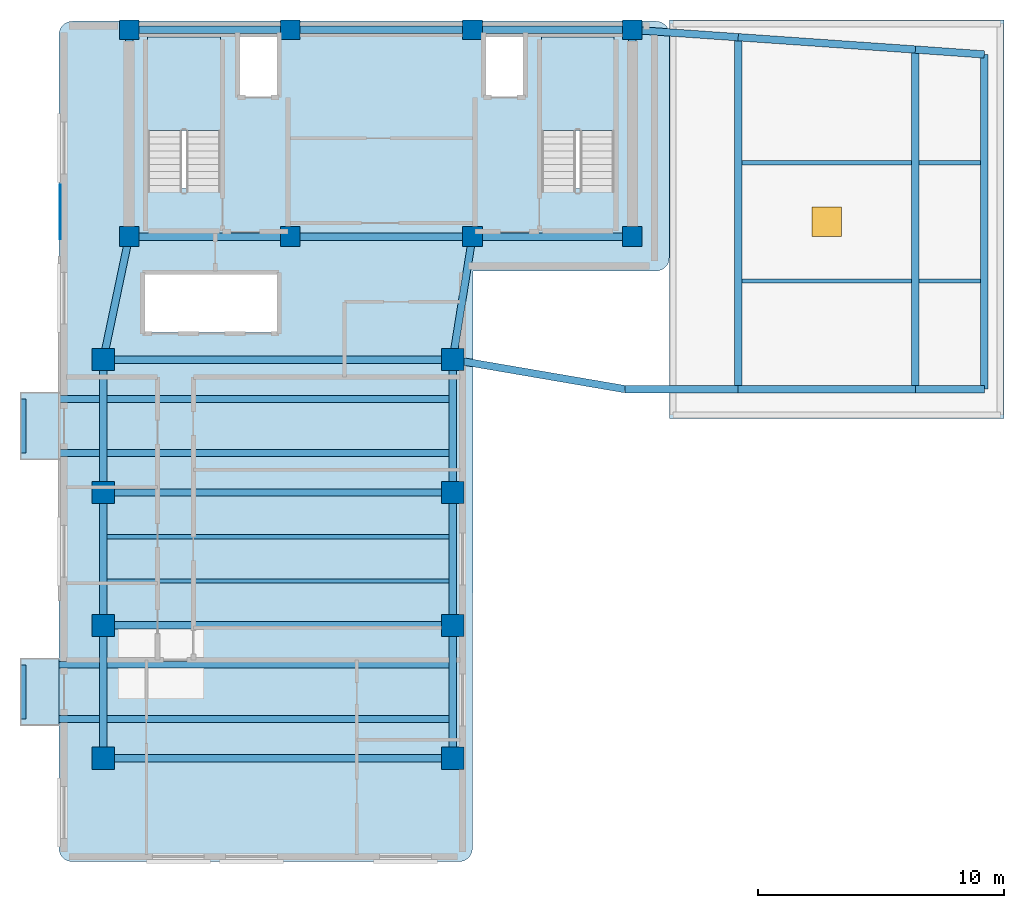
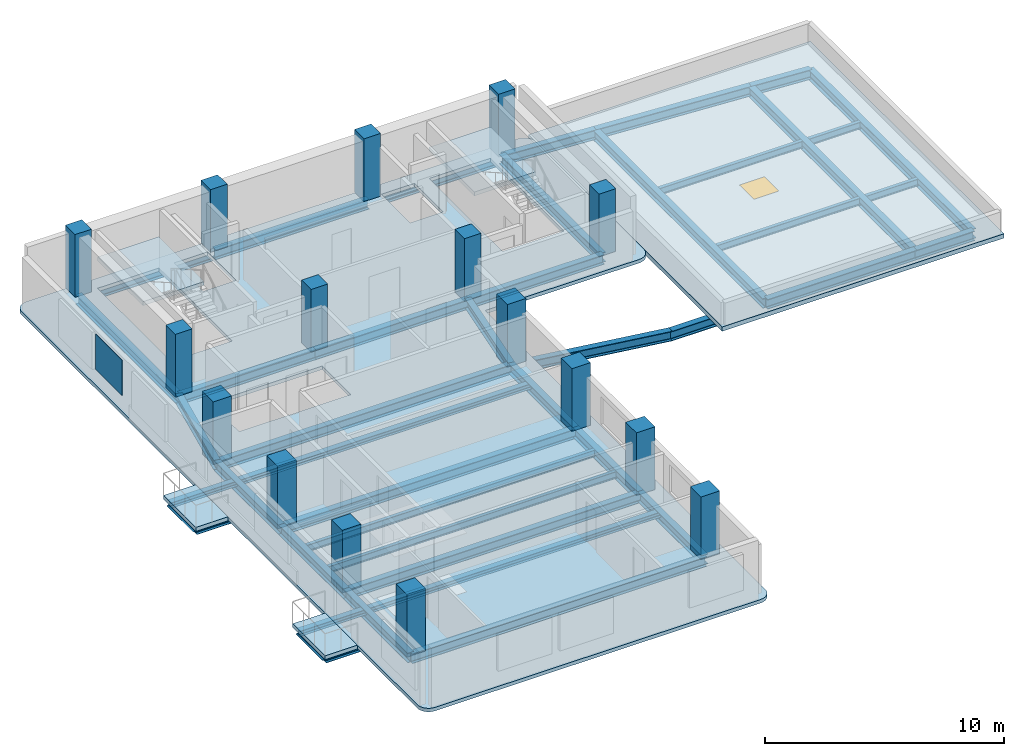
# One storey, part 1 of 6: 42 beams, 16 columns, 6 slabs, 1 plate, 1 window, 1 opening, 2 elements without a shape of their own.
"""IFC4 building model written with IfcOpenShell, lengths in metres."""

from ifc_helpers import new_model, si_unit, direction, frame, origin, origin_2d, place, context, subcontext, project, spatial, polyline, rectangle, i_section, outline, extrude, material, layer, layer_set, material_profile, profile_set, type_object, element, fill, aggregate, save


model = new_model("IFC4")

# Units and contexts
model_context = context("Model", 3, precision=1e-05, world=origin(), true_north=direction((0.0, 1.0)))
body_context = subcontext(model_context, "Body", "Model", "MODEL_VIEW")
ifc_project = project(units=[si_unit("LENGTHUNIT", "METRE"), si_unit("AREAUNIT", "SQUARE_METRE"), si_unit("VOLUMEUNIT", "CUBIC_METRE"), si_unit("PLANEANGLEUNIT", "RADIAN"), si_unit("MASSUNIT", "GRAM", prefix="KILO")], contexts=[model_context])

# Site, building, storey
site_placement = place(None, origin())
site = spatial("IfcSite", under=ifc_project, at=site_placement, CompositionType="ELEMENT")
building_placement = place(site_placement, origin())
building = spatial("IfcBuilding", under=site, at=building_placement, Name="Kuzgunbayir Cultural Tower", CompositionType="ELEMENT")
storey_placement = place(building_placement, frame((0.0, 0.0, 204.800048828125)))
storey = spatial("IfcBuildingStorey", under=building, at=storey_placement, Name="L60", CompositionType="ELEMENT", Elevation=204.800048828125)

# Columns
ifc_material_1 = material(Name="Concrete C50/60", Category="concrete")
ifc_material_profile_1 = material_profile(ifc_material_1, rectangle(XDim=0.800048828125, YDim=0.800048828125, at=origin_2d()), Name="RC 800x800")
ifc_profile_set_1 = profile_set([ifc_material_profile_1], Name="Concrete C50/60")
column_type_1 = type_object("IfcColumnType", Name="COL-CORE-800", PredefinedType="COLUMN", material=ifc_profile_set_1)
for number, where, z_axis, x_axis, name in (
    (1, (6.449951171875, 33.800048828125, 0.0), (0.0, 0.0, 1.0), (1.0, 0.0, 0.0), "L60 T1 Core Boundary Column CC1-1"),
    (2, (13.0, 33.800048828125, 0.0), (0.0, 0.0, 1.0), (1.0, 0.0, 0.0), "L60 T1 Core Boundary Column CC1-2"),
    (3, (20.39990234375, 33.800048828125, 0.0), (0.0, 0.0, 1.0), (1.0, 0.0, 0.0), "L60 T1 Core Boundary Column CC1-3"),
    (4, (26.89990234375, 33.800048828125, 0.0), (0.0, 0.0, 1.0), (1.0, 0.0, 0.0), "L60 T1 Core Boundary Column CC1-4"),
    (5, (6.449951171875, 42.199951171875, 0.0), (0.0, 0.0, 1.0), (1.0, 0.0, 0.0), "L60 T1 Core Boundary Column CC1-5"),
    (6, (13.0, 42.199951171875, 0.0), (0.0, 0.0, 1.0), (1.0, 0.0, 0.0), "L60 T1 Core Boundary Column CC1-6"),
    (7, (20.39990234375, 42.199951171875, 0.0), (0.0, 0.0, 1.0), (1.0, 0.0, 0.0), "L60 T1 Core Boundary Column CC1-7"),
    (8, (26.89990234375, 42.199951171875, 0.0), (0.0, 0.0, 1.0), (1.0, 0.0, 0.0), "L60 T1 Core Boundary Column CC1-8"),
):
    element("IfcColumn", number, at=place(storey_placement, frame(where, z_axis=z_axis, x_axis=x_axis)), inside=storey, type_object=column_type_1, Name=name, PredefinedType="COLUMN", context=body_context, shape_type="SweptSolid", body=[
        extrude(rectangle(XDim=0.800048828125, YDim=0.800048828125, at=origin_2d()), origin(), (0.0, 0.0, 1.0), 3.199951171875),
    ])
ifc_material_profile_2 = material_profile(ifc_material_1, rectangle(XDim=0.89990234375, YDim=0.89990234375, at=origin_2d()), Name="RC 900x900")
ifc_profile_set_2 = profile_set([ifc_material_profile_2], Name="Concrete C50/60")
column_type_2 = type_object("IfcColumnType", Name="COL-T1-900", PredefinedType="COLUMN", material=ifc_profile_set_2)
for number, where, z_axis, x_axis, name in (
    (9, (5.39990234375, 12.60009765625, 0.0), (0.0, 0.0, 1.0), (1.0, 0.0, 0.0), "L60 Tower 1 Wing A Column T1A-W-1"),
    (10, (19.60009765625, 12.60009765625, 0.0), (0.0, 0.0, 1.0), (1.0, 0.0, 0.0), "L60 Tower 1 Wing A Column T1A-E-1"),
    (11, (5.39990234375, 18.0, 0.0), (0.0, 0.0, 1.0), (1.0, 0.0, 0.0), "L60 Tower 1 Wing A Column T1A-W-2"),
    (12, (19.60009765625, 18.0, 0.0), (0.0, 0.0, 1.0), (1.0, 0.0, 0.0), "L60 Tower 1 Wing A Column T1A-E-2"),
    (13, (5.39990234375, 23.39990234375, 0.0), (0.0, 0.0, 1.0), (1.0, 0.0, 0.0), "L60 Tower 1 Wing A Column T1A-W-3"),
    (14, (19.60009765625, 23.39990234375, 0.0), (0.0, 0.0, 1.0), (1.0, 0.0, 0.0), "L60 Tower 1 Wing A Column T1A-E-3"),
    (15, (5.39990234375, 28.800048828125, 0.0), (0.0, 0.0, 1.0), (1.0, 0.0, 0.0), "L60 Tower 1 Wing A Column T1A-W-4"),
    (16, (19.60009765625, 28.800048828125, 0.0), (0.0, 0.0, 1.0), (1.0, 0.0, 0.0), "L60 Tower 1 Wing A Column T1A-E-4"),
):
    element("IfcColumn", number, at=place(storey_placement, frame(where, z_axis=z_axis, x_axis=x_axis)), inside=storey, type_object=column_type_2, Name=name, PredefinedType="COLUMN", context=body_context, shape_type="SweptSolid", body=[
        extrude(rectangle(XDim=0.89990234375, YDim=0.89990234375, at=origin_2d()), origin(), (0.0, 0.0, 1.0), 3.199951171875),
    ])

# Beams
ifc_material_2 = material(Name="Steel S355J2", Category="steel")
ifc_material_profile_3 = material_profile(ifc_material_2, i_section(OverallWidth=0.280029296875, OverallDepth=0.280029296875, WebThickness=0.010498046875, FlangeThickness=0.01806640625, FilletRadius=0.02392578125, at=origin_2d()), Name="HEB 280")
ifc_profile_set_3 = profile_set([ifc_material_profile_3], Name="Steel S355J2")
beam_type_1 = type_object("IfcBeamType", Name="BM-BAL-HEB280", PredefinedType="BEAM", material=ifc_profile_set_3)
for number, where, z_axis, x_axis, name in (
    (17, (2.159912109375, 14.199951171875, -0.340087890625), (1.0, 0.0, 0.0), (0.0, 1.0, 0.0), "L60 Balcony Outrigger Beam BAL-L60-WA1.1"),
    (18, (2.159912109375, 16.39990234375, -0.340087890625), (1.0, 0.0, 0.0), (0.0, 1.0, 0.0), "L60 Balcony Outrigger Beam BAL-L60-WA1.2"),
    (19, (2.159912109375, 25.0, -0.340087890625), (1.0, 0.0, 0.0), (0.0, 1.0, 0.0), "L60 Balcony Outrigger Beam BAL-L60-WA3.1"),
    (20, (2.159912109375, 27.199951171875, -0.340087890625), (1.0, 0.0, 0.0), (0.0, 1.0, 0.0), "L60 Balcony Outrigger Beam BAL-L60-WA3.2"),
):
    element("IfcBeam", number, at=place(storey_placement, frame(where, z_axis=z_axis, x_axis=x_axis)), inside=storey, type_object=beam_type_1, Name=name, PredefinedType="BEAM", context=body_context, shape_type="SweptSolid", body=[
        extrude(i_section(OverallWidth=0.280029296875, OverallDepth=0.280029296875, WebThickness=0.010498046875, FlangeThickness=0.01806640625, FilletRadius=0.02392578125, at=origin_2d()), origin(), (0.0, 0.0, 1.0), 17.440185546875),
    ])
ifc_material_profile_4 = material_profile(ifc_material_2, i_section(OverallWidth=0.199951171875, OverallDepth=0.199951171875, WebThickness=0.009033203125, FlangeThickness=0.014892578125, FilletRadius=0.01806640625, at=origin_2d()), Name="HEB 200")
ifc_profile_set_4 = profile_set([ifc_material_profile_4], Name="Steel S355J2")
beam_type_2 = type_object("IfcBeamType", Name="BM-CAN-HEB200", PredefinedType="BEAM", material=ifc_profile_set_4)
for number, where, z_axis, x_axis, name in (
    (21, (2.159912109375, 14.199951171875, -0.300048828125), (0.0, 1.0, 0.0), (-1.0, 0.0, 0.0), "L60 Balcony Edge Header BAL-L60-WA1"),
    (22, (2.159912109375, 25.0, -0.300048828125), (0.0, 1.0, 0.0), (-1.0, 0.0, 0.0), "L60 Balcony Edge Header BAL-L60-WA3"),
):
    element("IfcBeam", number, at=place(storey_placement, frame(where, z_axis=z_axis, x_axis=x_axis)), inside=storey, type_object=beam_type_2, Name=name, PredefinedType="BEAM", context=body_context, shape_type="SweptSolid", body=[
        extrude(i_section(OverallWidth=0.199951171875, OverallDepth=0.199951171875, WebThickness=0.009033203125, FlangeThickness=0.014892578125, FilletRadius=0.01806640625, at=origin_2d()), origin(), (0.0, 0.0, 1.0), 2.199951171875),
    ])
ifc_material_profile_5 = material_profile(ifc_material_2, i_section(OverallWidth=0.300048828125, OverallDepth=0.5, WebThickness=0.014404296875, FlangeThickness=0.028076171875, FilletRadius=0.027099609375, at=origin_2d()), Name="HEB 500")
ifc_profile_set_5 = profile_set([ifc_material_profile_5], Name="Steel S355J2")
beam_type_3 = type_object("IfcBeamType", Name="BM-EXT-HEB500", PredefinedType="BEAM", material=ifc_profile_set_5)
for number, where, z_axis, x_axis, name in (
    (23, (5.39990234375, 12.60009765625, -0.429931640625), (0.0, 1.0, 0.0), (-1.0, 0.0, 0.0), "L60 Wing A West Girder 1"),
    (24, (19.60009765625, 12.60009765625, -0.429931640625), (0.0, 1.0, 0.0), (-1.0, 0.0, 0.0), "L60 Wing A East Girder 1"),
    (25, (5.39990234375, 18.0, -0.429931640625), (0.0, 1.0, 0.0), (-1.0, 0.0, 0.0), "L60 Wing A West Girder 2"),
    (26, (19.60009765625, 18.0, -0.429931640625), (0.0, 1.0, 0.0), (-1.0, 0.0, 0.0), "L60 Wing A East Girder 2"),
):
    element("IfcBeam", number, at=place(storey_placement, frame(where, z_axis=z_axis, x_axis=x_axis)), inside=storey, type_object=beam_type_3, Name=name, PredefinedType="BEAM", context=body_context, shape_type="SweptSolid", body=[
        extrude(i_section(OverallWidth=0.300048828125, OverallDepth=0.5, WebThickness=0.014404296875, FlangeThickness=0.028076171875, FilletRadius=0.027099609375, at=origin_2d()), origin(), (0.0, 0.0, 1.0), 5.39990234375),
    ])
for number, where, z_axis, x_axis, name in (
    (27, (5.39990234375, 23.39990234375, -0.429931640625), (0.0, 1.0, 0.0), (-1.0, 0.0, 0.0), "L60 Wing A West Girder 3"),
    (28, (19.60009765625, 23.39990234375, -0.429931640625), (0.0, 1.0, 0.0), (-1.0, 0.0, 0.0), "L60 Wing A East Girder 3"),
):
    element("IfcBeam", number, at=place(storey_placement, frame(where, z_axis=z_axis, x_axis=x_axis)), inside=storey, type_object=beam_type_3, Name=name, PredefinedType="BEAM", context=body_context, shape_type="SweptSolid", body=[
        extrude(i_section(OverallWidth=0.300048828125, OverallDepth=0.5, WebThickness=0.014404296875, FlangeThickness=0.028076171875, FilletRadius=0.027099609375, at=origin_2d()), origin(), (0.0, 0.0, 1.0), 5.400146484375),
    ])
beam_1_placement = place(storey_placement, frame((26.60009765625, 27.60009765625, -0.469970703125), z_axis=(1.0, 0.0, 0.0), x_axis=(0.0, 1.0, 0.0)))
element("IfcBeam", 29, at=beam_1_placement, inside=storey, type_object=beam_type_3, Name="L60 Wing B South Girder 1", PredefinedType="BEAM", context=body_context, shape_type="SweptSolid", body=[
    extrude(i_section(OverallWidth=0.300048828125, OverallDepth=0.5, WebThickness=0.014404296875, FlangeThickness=0.028076171875, FilletRadius=0.027099609375, at=origin_2d()), origin(), (0.0, 0.0, 1.0), 4.599853515625),
])
beam_2_placement = place(storey_placement, frame((26.89990234375, 42.199951171875, -0.469970703125), z_axis=(0.997574369175, -0.069608749203, 0.0), x_axis=(0.069608749203, 0.997574369175, 0.0)))
element("IfcBeam", 30, at=beam_2_placement, inside=storey, type_object=beam_type_3, Name="L60 Wing B North Girder 1", PredefinedType="BEAM", context=body_context, shape_type="SweptSolid", body=[
    extrude(i_section(OverallWidth=0.300048828125, OverallDepth=0.5, WebThickness=0.014404296875, FlangeThickness=0.028076171875, FilletRadius=0.027099609375, at=origin_2d()), origin(), (0.0, 0.0, 1.0), 4.310546875),
])
beam_3_placement = place(storey_placement, frame((31.199951171875, 27.60009765625, -0.469970703125), z_axis=(1.0, 0.0, 0.0), x_axis=(0.0, 1.0, 0.0)))
element("IfcBeam", 31, at=beam_3_placement, inside=storey, type_object=beam_type_3, Name="L60 Wing B South Girder 2", PredefinedType="BEAM", context=body_context, shape_type="SweptSolid", body=[
    extrude(i_section(OverallWidth=0.300048828125, OverallDepth=0.5, WebThickness=0.014404296875, FlangeThickness=0.028076171875, FilletRadius=0.027099609375, at=origin_2d()), origin(), (0.0, 0.0, 1.0), 7.199951171875),
])
beam_4_placement = place(storey_placement, frame((31.199951171875, 41.89990234375, -0.469970703125), z_axis=(0.997597388498, -0.069278066245, 0.0), x_axis=(0.069278066245, 0.997597388498, 0.0)))
element("IfcBeam", 32, at=beam_4_placement, inside=storey, type_object=beam_type_3, Name="L60 Wing B North Girder 2", PredefinedType="BEAM", context=body_context, shape_type="SweptSolid", body=[
    extrude(i_section(OverallWidth=0.300048828125, OverallDepth=0.5, WebThickness=0.014404296875, FlangeThickness=0.028076171875, FilletRadius=0.027099609375, at=origin_2d()), origin(), (0.0, 0.0, 1.0), 7.21728515625),
])
beam_5_placement = place(storey_placement, frame((38.39990234375, 27.60009765625, -0.469970703125), z_axis=(1.0, 0.0, 0.0), x_axis=(0.0, 1.0, 0.0)))
element("IfcBeam", 33, at=beam_5_placement, inside=storey, type_object=beam_type_3, Name="L60 Wing B South Girder 3", PredefinedType="BEAM", context=body_context, shape_type="SweptSolid", body=[
    extrude(i_section(OverallWidth=0.300048828125, OverallDepth=0.5, WebThickness=0.014404296875, FlangeThickness=0.028076171875, FilletRadius=0.027099609375, at=origin_2d()), origin(), (0.0, 0.0, 1.0), 2.800048828125),
])
beam_6_placement = place(storey_placement, frame((38.39990234375, 41.39990234375, -0.469970703125), z_axis=(0.997460024076, -0.071228508128, 0.0), x_axis=(0.071228508128, 0.997460024076, 0.0)))
element("IfcBeam", 34, at=beam_6_placement, inside=storey, type_object=beam_type_3, Name="L60 Wing B North Girder 3", PredefinedType="BEAM", context=body_context, shape_type="SweptSolid", body=[
    extrude(i_section(OverallWidth=0.300048828125, OverallDepth=0.5, WebThickness=0.014404296875, FlangeThickness=0.028076171875, FilletRadius=0.027099609375, at=origin_2d()), origin(), (0.0, 0.0, 1.0), 2.80712890625),
])
ifc_material_profile_6 = material_profile(ifc_material_2, i_section(OverallWidth=0.300048828125, OverallDepth=0.5, WebThickness=0.014404296875, FlangeThickness=0.028076171875, FilletRadius=0.027099609375, at=origin_2d()), Name="HEB 500")
ifc_profile_set_6 = profile_set([ifc_material_profile_6], Name="Steel S355J2")
beam_type_4 = type_object("IfcBeamType", Name="BM-GIR-HEB500", PredefinedType="BEAM", material=ifc_profile_set_6)
beam_7_placement = place(storey_placement, frame((6.449951171875, 33.800048828125, -0.429931640625), z_axis=(1.0, 0.0, 0.0), x_axis=(0.0, 1.0, 0.0)))
element("IfcBeam", 35, at=beam_7_placement, inside=storey, type_object=beam_type_4, Name="L60 Core South Girder 1", PredefinedType="BEAM", context=body_context, shape_type="SweptSolid", body=[
    extrude(i_section(OverallWidth=0.300048828125, OverallDepth=0.5, WebThickness=0.014404296875, FlangeThickness=0.028076171875, FilletRadius=0.027099609375, at=origin_2d()), origin(), (0.0, 0.0, 1.0), 6.550048828125),
])
beam_8_placement = place(storey_placement, frame((13.0, 33.800048828125, -0.429931640625), z_axis=(1.0, 0.0, 0.0), x_axis=(0.0, 1.0, 0.0)))
element("IfcBeam", 36, at=beam_8_placement, inside=storey, type_object=beam_type_4, Name="L60 Core South Girder 2", PredefinedType="BEAM", context=body_context, shape_type="SweptSolid", body=[
    extrude(i_section(OverallWidth=0.300048828125, OverallDepth=0.5, WebThickness=0.014404296875, FlangeThickness=0.028076171875, FilletRadius=0.027099609375, at=origin_2d()), origin(), (0.0, 0.0, 1.0), 7.39990234375),
])
beam_9_placement = place(storey_placement, frame((20.39990234375, 33.800048828125, -0.429931640625), z_axis=(1.0, 0.0, 0.0), x_axis=(0.0, 1.0, 0.0)))
element("IfcBeam", 37, at=beam_9_placement, inside=storey, type_object=beam_type_4, Name="L60 Core South Girder 3", PredefinedType="BEAM", context=body_context, shape_type="SweptSolid", body=[
    extrude(i_section(OverallWidth=0.300048828125, OverallDepth=0.5, WebThickness=0.014404296875, FlangeThickness=0.028076171875, FilletRadius=0.027099609375, at=origin_2d()), origin(), (0.0, 0.0, 1.0), 6.5),
])
beam_10_placement = place(storey_placement, frame((6.449951171875, 42.199951171875, -0.429931640625), z_axis=(1.0, 0.0, 0.0), x_axis=(0.0, 1.0, 0.0)))
element("IfcBeam", 38, at=beam_10_placement, inside=storey, type_object=beam_type_4, Name="L60 Core North Girder 1", PredefinedType="BEAM", context=body_context, shape_type="SweptSolid", body=[
    extrude(i_section(OverallWidth=0.300048828125, OverallDepth=0.5, WebThickness=0.014404296875, FlangeThickness=0.028076171875, FilletRadius=0.027099609375, at=origin_2d()), origin(), (0.0, 0.0, 1.0), 6.550048828125),
])
beam_11_placement = place(storey_placement, frame((13.0, 42.199951171875, -0.429931640625), z_axis=(1.0, 0.0, 0.0), x_axis=(0.0, 1.0, 0.0)))
element("IfcBeam", 39, at=beam_11_placement, inside=storey, type_object=beam_type_4, Name="L60 Core North Girder 2", PredefinedType="BEAM", context=body_context, shape_type="SweptSolid", body=[
    extrude(i_section(OverallWidth=0.300048828125, OverallDepth=0.5, WebThickness=0.014404296875, FlangeThickness=0.028076171875, FilletRadius=0.027099609375, at=origin_2d()), origin(), (0.0, 0.0, 1.0), 7.39990234375),
])
beam_12_placement = place(storey_placement, frame((20.39990234375, 42.199951171875, -0.429931640625), z_axis=(1.0, 0.0, 0.0), x_axis=(0.0, 1.0, 0.0)))
element("IfcBeam", 40, at=beam_12_placement, inside=storey, type_object=beam_type_4, Name="L60 Core North Girder 3", PredefinedType="BEAM", context=body_context, shape_type="SweptSolid", body=[
    extrude(i_section(OverallWidth=0.300048828125, OverallDepth=0.5, WebThickness=0.014404296875, FlangeThickness=0.028076171875, FilletRadius=0.027099609375, at=origin_2d()), origin(), (0.0, 0.0, 1.0), 6.5),
])
for number, where, z_axis, x_axis, name in (
    (41, (6.449951171875, 33.800048828125, -0.429931640625), (0.0, 1.0, 0.0), (-1.0, 0.0, 0.0), "L60 Core West Edge Girder"),
    (42, (26.89990234375, 33.800048828125, -0.429931640625), (0.0, 1.0, 0.0), (-1.0, 0.0, 0.0), "L60 Core East Edge Girder"),
):
    element("IfcBeam", number, at=place(storey_placement, frame(where, z_axis=z_axis, x_axis=x_axis)), inside=storey, type_object=beam_type_4, Name=name, PredefinedType="BEAM", context=body_context, shape_type="SweptSolid", body=[
        extrude(i_section(OverallWidth=0.300048828125, OverallDepth=0.5, WebThickness=0.014404296875, FlangeThickness=0.028076171875, FilletRadius=0.027099609375, at=origin_2d()), origin(), (0.0, 0.0, 1.0), 8.39990234375),
    ])
for number, where, z_axis, x_axis, name in (
    (43, (5.39990234375, 12.60009765625, -0.429931640625), (1.0, 0.0, 0.0), (0.0, 1.0, 0.0), "L60 Wing A Transverse Girder 1"),
    (44, (5.39990234375, 18.0, -0.429931640625), (1.0, 0.0, 0.0), (0.0, 1.0, 0.0), "L60 Wing A Transverse Girder 2"),
    (45, (5.39990234375, 23.39990234375, -0.429931640625), (1.0, 0.0, 0.0), (0.0, 1.0, 0.0), "L60 Wing A Transverse Girder 3"),
    (46, (5.39990234375, 28.800048828125, -0.429931640625), (1.0, 0.0, 0.0), (0.0, 1.0, 0.0), "L60 Wing A Transverse Girder 4"),
):
    element("IfcBeam", number, at=place(storey_placement, frame(where, z_axis=z_axis, x_axis=x_axis)), inside=storey, type_object=beam_type_4, Name=name, PredefinedType="BEAM", context=body_context, shape_type="SweptSolid", body=[
        extrude(i_section(OverallWidth=0.300048828125, OverallDepth=0.5, WebThickness=0.014404296875, FlangeThickness=0.028076171875, FilletRadius=0.027099609375, at=origin_2d()), origin(), (0.0, 0.0, 1.0), 14.2001953125),
    ])
beam_13_placement = place(storey_placement, frame((5.39990234375, 28.800048828125, -0.429931640625), z_axis=(0.205526387753, 0.978651574329, 0.0), x_axis=(-0.978651574329, 0.205526387753, 0.0)))
element("IfcBeam", 47, at=beam_13_placement, inside=storey, type_object=beam_type_4, Name="L60 Wing A West Core Floor Girder", PredefinedType="BEAM", context=body_context, shape_type="SweptSolid", body=[
    extrude(i_section(OverallWidth=0.300048828125, OverallDepth=0.5, WebThickness=0.014404296875, FlangeThickness=0.028076171875, FilletRadius=0.027099609375, at=origin_2d()), origin(), (0.0, 0.0, 1.0), 5.109130859375),
])
beam_14_placement = place(storey_placement, frame((19.60009765625, 28.800048828125, -0.429931640625), z_axis=(0.157952891656, 0.987446648694, 0.0), x_axis=(-0.987446648694, 0.157952891656, 0.0)))
element("IfcBeam", 48, at=beam_14_placement, inside=storey, type_object=beam_type_4, Name="L60 Wing A East Core Floor Girder", PredefinedType="BEAM", context=body_context, shape_type="SweptSolid", body=[
    extrude(i_section(OverallWidth=0.300048828125, OverallDepth=0.5, WebThickness=0.014404296875, FlangeThickness=0.028076171875, FilletRadius=0.027099609375, at=origin_2d()), origin(), (0.0, 0.0, 1.0), 5.0634765625),
])
beam_15_placement = place(storey_placement, frame((31.199951171875, 27.60009765625, -0.469970703125), z_axis=(0.0, 1.0, 0.0), x_axis=(-1.0, 0.0, 0.0)))
element("IfcBeam", 49, at=beam_15_placement, inside=storey, type_object=beam_type_4, Name="L60 Wing B Cross Girder 31", PredefinedType="BEAM", context=body_context, shape_type="SweptSolid", body=[
    extrude(i_section(OverallWidth=0.300048828125, OverallDepth=0.5, WebThickness=0.014404296875, FlangeThickness=0.028076171875, FilletRadius=0.027099609375, at=origin_2d()), origin(), (0.0, 0.0, 1.0), 14.2998046875),
])
beam_16_placement = place(storey_placement, frame((38.39990234375, 27.60009765625, -0.469970703125), z_axis=(0.0, 1.0, 0.0), x_axis=(-1.0, 0.0, 0.0)))
element("IfcBeam", 50, at=beam_16_placement, inside=storey, type_object=beam_type_4, Name="L60 Wing B Cross Girder 38", PredefinedType="BEAM", context=body_context, shape_type="SweptSolid", body=[
    extrude(i_section(OverallWidth=0.300048828125, OverallDepth=0.5, WebThickness=0.014404296875, FlangeThickness=0.028076171875, FilletRadius=0.027099609375, at=origin_2d()), origin(), (0.0, 0.0, 1.0), 13.7998046875),
])
beam_17_placement = place(storey_placement, frame((41.199951171875, 27.60009765625, -0.469970703125), z_axis=(0.0, 1.0, 0.0), x_axis=(-1.0, 0.0, 0.0)))
element("IfcBeam", 51, at=beam_17_placement, inside=storey, type_object=beam_type_4, Name="L60 Wing B Cross Girder 41", PredefinedType="BEAM", context=body_context, shape_type="SweptSolid", body=[
    extrude(i_section(OverallWidth=0.300048828125, OverallDepth=0.5, WebThickness=0.014404296875, FlangeThickness=0.028076171875, FilletRadius=0.027099609375, at=origin_2d()), origin(), (0.0, 0.0, 1.0), 13.599853515625),
])
beam_18_placement = place(storey_placement, frame((19.60009765625, 28.800048828125, -0.469970703125), z_axis=(0.985623399742, -0.168957136221, 0.0), x_axis=(0.168957136221, 0.985623399742, 0.0)))
element("IfcBeam", 52, at=beam_18_placement, inside=storey, type_object=beam_type_4, Name="L60 Wing B Waist Tie Girder", PredefinedType="BEAM", context=body_context, shape_type="SweptSolid", body=[
    extrude(i_section(OverallWidth=0.300048828125, OverallDepth=0.5, WebThickness=0.014404296875, FlangeThickness=0.028076171875, FilletRadius=0.027099609375, at=origin_2d()), origin(), (0.0, 0.0, 1.0), 7.10205078125),
])
ifc_material_profile_7 = material_profile(ifc_material_2, i_section(OverallWidth=0.169921875, OverallDepth=0.360107421875, WebThickness=0.008056640625, FlangeThickness=0.0126953125, FilletRadius=0.01806640625, at=origin_2d()), Name="IPE 360")
ifc_profile_set_7 = profile_set([ifc_material_profile_7], Name="Steel S355J2")
beam_type_5 = type_object("IfcBeamType", Name="BM-JST-IPE360", PredefinedType="JOIST", material=ifc_profile_set_7)
for number, where, z_axis, x_axis, name in (
    (53, (5.550048828125, 19.800048828125, -0.360107421875), (1.0, 0.0, 0.0), (0.0, 1.0, 0.0), "L60 Wing A Secondary Joist 3"),
    (54, (5.550048828125, 21.60009765625, -0.360107421875), (1.0, 0.0, 0.0), (0.0, 1.0, 0.0), "L60 Wing A Secondary Joist 4"),
):
    element("IfcBeam", number, at=place(storey_placement, frame(where, z_axis=z_axis, x_axis=x_axis)), inside=storey, type_object=beam_type_5, Name=name, PredefinedType="JOIST", context=body_context, shape_type="SweptSolid", body=[
        extrude(i_section(OverallWidth=0.169921875, OverallDepth=0.360107421875, WebThickness=0.008056640625, FlangeThickness=0.0126953125, FilletRadius=0.01806640625, at=origin_2d()), origin(), (0.0, 0.0, 1.0), 13.89990234375),
    ])
for number, where, z_axis, x_axis, name in (
    (55, (31.35009765625, 32.0, -0.400146484375), (1.0, 0.0, 0.0), (0.0, 1.0, 0.0), "L60 Wing B Secondary Joist 1.1"),
    (56, (31.35009765625, 36.800048828125, -0.400146484375), (1.0, 0.0, 0.0), (0.0, 1.0, 0.0), "L60 Wing B Secondary Joist 1.2"),
):
    element("IfcBeam", number, at=place(storey_placement, frame(where, z_axis=z_axis, x_axis=x_axis)), inside=storey, type_object=beam_type_5, Name=name, PredefinedType="JOIST", context=body_context, shape_type="SweptSolid", body=[
        extrude(i_section(OverallWidth=0.169921875, OverallDepth=0.360107421875, WebThickness=0.008056640625, FlangeThickness=0.0126953125, FilletRadius=0.01806640625, at=origin_2d()), origin(), (0.0, 0.0, 1.0), 6.89990234375),
    ])
for number, where, z_axis, x_axis, name in (
    (57, (38.550048828125, 32.0, -0.400146484375), (1.0, 0.0, 0.0), (0.0, 1.0, 0.0), "L60 Wing B Secondary Joist 2.1"),
    (58, (38.550048828125, 36.800048828125, -0.400146484375), (1.0, 0.0, 0.0), (0.0, 1.0, 0.0), "L60 Wing B Secondary Joist 2.2"),
):
    element("IfcBeam", number, at=place(storey_placement, frame(where, z_axis=z_axis, x_axis=x_axis)), inside=storey, type_object=beam_type_5, Name=name, PredefinedType="JOIST", context=body_context, shape_type="SweptSolid", body=[
        extrude(i_section(OverallWidth=0.169921875, OverallDepth=0.360107421875, WebThickness=0.008056640625, FlangeThickness=0.0126953125, FilletRadius=0.01806640625, at=origin_2d()), origin(), (0.0, 0.0, 1.0), 2.5),
    ])

# Plate
ifc_material_3 = material(Name="Perforated Bronze-Anodised Aluminium", Category="aluminium")
ifc_layer_1 = layer(ifc_material_3, 0.02392578125)
ifc_layer_set_1 = layer_set([ifc_layer_1], Name="Perforated Bronze-Anodised Aluminium")
plate_type = type_object("IfcPlateType", Name="PLT-SOLAR-SCREEN-14", PredefinedType="SHEET", material=ifc_layer_set_1)
plate_placement = place(storey_placement, frame((3.64990234375, 34.800048828125, 0.75), z_axis=(0.0, 0.0, 1.0), x_axis=(1.0, 0.0, 0.0)))
element("IfcPlate", 59, at=plate_placement, inside=storey, type_object=plate_type, Name="L60 Tower 1 Perforated Ceramic Solar Screen Panel", PredefinedType="SHEET", context=body_context, shape_type="SweptSolid", body=[
    extrude(rectangle(XDim=0.02392578125, YDim=2.199951171875, at=origin_2d()), origin(), (0.0, 0.0, 1.0), 1.800048828125),
])

# Slabs
ifc_material_4 = material(Name="Concrete C40/50", Category="concrete")
ifc_layer_2 = layer(ifc_material_4, 0.199951171875)
ifc_layer_set_2 = layer_set([ifc_layer_2], Name="Concrete C40/50")
slab_type_1 = type_object("IfcSlabType", Name="SLB-BAL-STONE", PredefinedType="FLOOR", material=ifc_layer_set_2)
slab_1_placement = place(storey_placement, frame((0.0, 0.0, -0.199951171875)))
element("IfcSlab", 60, at=slab_1_placement, inside=storey, type_object=slab_type_1, Name="L60 Projecting Limestone Balcony BAL-L60-WA1", PredefinedType="FLOOR", context=body_context, shape_type="SweptSolid", body=[
    extrude(outline(polyline([(2.0400390625, 13.949951171875), (3.60009765625, 13.949951171875), (3.60009765625, 16.64990234375), (2.0400390625, 16.64990234375), (2.0400390625, 13.949951171875)])), origin(), (0.0, 0.0, 1.0), 0.199951171875),
])
slab_2_placement = place(storey_placement, frame((0.0, 0.0, -0.199951171875)))
element("IfcSlab", 61, at=slab_2_placement, inside=storey, type_object=slab_type_1, Name="L60 Projecting Limestone Balcony BAL-L60-WA3", PredefinedType="FLOOR", context=body_context, shape_type="SweptSolid", body=[
    extrude(outline(polyline([(2.0400390625, 24.75), (3.60009765625, 24.75), (3.60009765625, 27.449951171875), (2.0400390625, 27.449951171875), (2.0400390625, 24.75)])), origin(), (0.0, 0.0, 1.0), 0.199951171875),
])

# Stair, slab
stair_type = type_object("IfcStairType", Name="STR-EXIT-CORE", PredefinedType="HALF_TURN_STAIR", material=ifc_material_4)
stair_1_placement = place(storey_placement, origin())
stair_1 = element("IfcStair", 62, at=stair_1_placement, inside=storey, type_object=stair_type, Name="L60 ST-1", PredefinedType="HALF_TURN_STAIR")
ifc_layer_3 = layer(ifc_material_4, 0.179931640625)
ifc_layer_set_3 = layer_set([ifc_layer_3], Name="Concrete C40/50")
slab_type_2 = type_object("IfcSlabType", Name="SLB-LANDING-180", PredefinedType="LANDING", material=ifc_layer_set_3)
slab_3_placement = place(storey_placement, frame((0.0, 0.0, 1.39990234375)))
slab_3 = element("IfcSlab", 63, at=slab_3_placement, type_object=slab_type_2, Name="ST-1 landing 1", PredefinedType="LANDING", context=body_context, shape_type="SweptSolid", body=[
    extrude(outline(polyline([(10.159912109375, 38.1201171875), (10.159912109375, 41.89990234375), (7.199951171875, 41.89990234375), (7.199951171875, 38.1201171875), (10.159912109375, 38.1201171875)])), origin(), (0.0, 0.0, 1.0), 0.199951171875),
])
aggregate(stair_1, [slab_3])

stair_2_placement = place(storey_placement, origin())
stair_2 = element("IfcStair", 64, at=stair_2_placement, inside=storey, type_object=stair_type, Name="L60 ST-2", PredefinedType="HALF_TURN_STAIR")
slab_4_placement = place(storey_placement, frame((0.0, 0.0, 1.39990234375)))
slab_4 = element("IfcSlab", 65, at=slab_4_placement, type_object=slab_type_2, Name="ST-2 landing 1", PredefinedType="LANDING", context=body_context, shape_type="SweptSolid", body=[
    extrude(outline(polyline([(26.159912109375, 38.1201171875), (26.159912109375, 41.89990234375), (23.199951171875, 41.89990234375), (23.199951171875, 38.1201171875), (26.159912109375, 38.1201171875)])), origin(), (0.0, 0.0, 1.0), 0.199951171875),
])
aggregate(stair_2, [slab_4])

# Slab, opening, window
ifc_layer_4 = layer(ifc_material_4, 0.219970703125)
ifc_layer_set_4 = layer_set([ifc_layer_4], Name="Concrete C40/50")
slab_type_3 = type_object("IfcSlabType", Name="SLB-ROOF-COMP-220", PredefinedType="ROOF", material=ifc_layer_set_4)
slab_5_placement = place(storey_placement, frame((0.0, 0.0, -0.219970703125)))
slab_5 = element("IfcSlab", 66, at=slab_5_placement, inside=storey, type_object=slab_type_3, Name="Tower 1 Wing B Split Setback Roof Deck", PredefinedType="ROOF", context=body_context, shape_type="SweptSolid", body=[
    extrude(outline(polyline([(28.39990234375, 26.39990234375), (42.0, 26.39990234375), (42.0, 42.60009765625), (28.39990234375, 42.60009765625), (28.39990234375, 26.39990234375)])), origin(), (0.0, 0.0, 1.0), 0.219970703125),
])
opening_placement = place(slab_5_placement, frame((34.800048828125, 34.39990234375, 0.0)))
opening = element("IfcOpeningElement", 67, at=opening_placement, cuts=slab_5, Name="Opening RH-12", PredefinedType="OPENING", context=body_context, shape_type="SweptSolid", body=[
    extrude(rectangle(XDim=1.199951171875, YDim=1.199951171875, at=origin_2d()), origin(), (0.0, 0.0, 1.0), 0.219970703125),
])
ifc_material_5 = material(Name="Solar-Control Triple Glazing", Category="glass")
window_type = type_object("IfcWindowType", Name="WIN-HATCH-5", PartitioningType="SINGLE_PANEL", PredefinedType="SKYLIGHT", material=ifc_material_5)
window_placement = place(opening_placement, frame((0.0, 0.0, 0.169921875)))
window = element("IfcWindow", 68, at=window_placement, inside=storey, type_object=window_type, Name="L60 Maintenance Roof Access Hatch 3", OverallHeight=1.199951171875, OverallWidth=1.199951171875, PartitioningType="SINGLE_PANEL", PredefinedType="SKYLIGHT", context=body_context, shape_type="SweptSolid", body=[
    extrude(rectangle(XDim=1.199951171875, YDim=1.199951171875, at=origin_2d()), origin(), (0.0, 0.0, 1.0), 0.050048828125),
])
fill(opening, window)

# Slab
ifc_layer_5 = layer(ifc_material_4, 0.179931640625)
ifc_layer_set_5 = layer_set([ifc_layer_5], Name="Concrete C40/50")
slab_type_4 = type_object("IfcSlabType", Name="SLB-TYP-180", PredefinedType="FLOOR", material=ifc_layer_set_5)
slab_6_placement = place(storey_placement, frame((0.0, 0.0, -0.179931640625)))
element("IfcSlab", 69, at=slab_6_placement, inside=storey, type_object=slab_type_4, Name="L60 Tower 1 Floor Slab T1-MAIN", PredefinedType="FLOOR", context=body_context, shape_type="SweptSolid", body=[
    extrude(outline(polyline([(20.39990234375, 8.949951171875), (20.389892578125, 8.840087890625), (20.360107421875, 8.739990234375), (20.31005859375, 8.639892578125), (20.239990234375, 8.56005859375), (20.159912109375, 8.489990234375), (20.06005859375, 8.43994140625), (19.9599609375, 8.409912109375), (19.85009765625, 8.39990234375), (4.14990234375, 8.39990234375), (4.0400390625, 8.409912109375), (3.93994140625, 8.43994140625), (3.840087890625, 8.489990234375), (3.760009765625, 8.56005859375), (3.68994140625, 8.639892578125), (3.639892578125, 8.739990234375), (3.610107421875, 8.840087890625), (3.60009765625, 8.949951171875), (3.60009765625, 42.0), (3.610107421875, 42.110107421875), (3.639892578125, 42.2099609375), (3.68994140625, 42.31005859375), (3.760009765625, 42.389892578125), (3.840087890625, 42.4599609375), (3.93994140625, 42.510009765625), (4.0400390625, 42.5400390625), (4.14990234375, 42.550048828125), (27.85009765625, 42.550048828125), (27.9599609375, 42.5400390625), (28.06005859375, 42.510009765625), (28.159912109375, 42.4599609375), (28.239990234375, 42.389892578125), (28.31005859375, 42.31005859375), (28.360107421875, 42.2099609375), (28.389892578125, 42.110107421875), (28.39990234375, 42.0), (28.39990234375, 32.949951171875), (28.389892578125, 32.840087890625), (28.360107421875, 32.739990234375), (28.31005859375, 32.639892578125), (28.239990234375, 32.56005859375), (28.159912109375, 32.489990234375), (28.06005859375, 32.43994140625), (27.9599609375, 32.409912109375), (27.85009765625, 32.39990234375), (20.429931640625, 32.39990234375), (20.39990234375, 8.949951171875)]), holes=[polyline([(7.199951171875, 35.760009765625), (7.199951171875, 41.89990234375), (10.159912109375, 41.89990234375), (10.159912109375, 35.760009765625), (7.199951171875, 35.760009765625)]), polyline([(23.199951171875, 35.760009765625), (23.199951171875, 41.89990234375), (26.159912109375, 41.89990234375), (26.159912109375, 35.760009765625), (23.199951171875, 35.760009765625)]), polyline([(7.10009765625, 29.89990234375), (7.10009765625, 32.300048828125), (12.5, 32.300048828125), (12.5, 29.89990234375), (7.10009765625, 29.89990234375)]), polyline([(10.89990234375, 39.5), (10.89990234375, 41.89990234375), (12.5, 41.89990234375), (12.5, 39.5), (10.89990234375, 39.5)]), polyline([(20.89990234375, 39.5), (20.89990234375, 41.89990234375), (22.5, 41.89990234375), (22.5, 39.5), (20.89990234375, 39.5)])]), origin(), (0.0, 0.0, 1.0), 0.179931640625),
])

save(model, "model.ifc")
